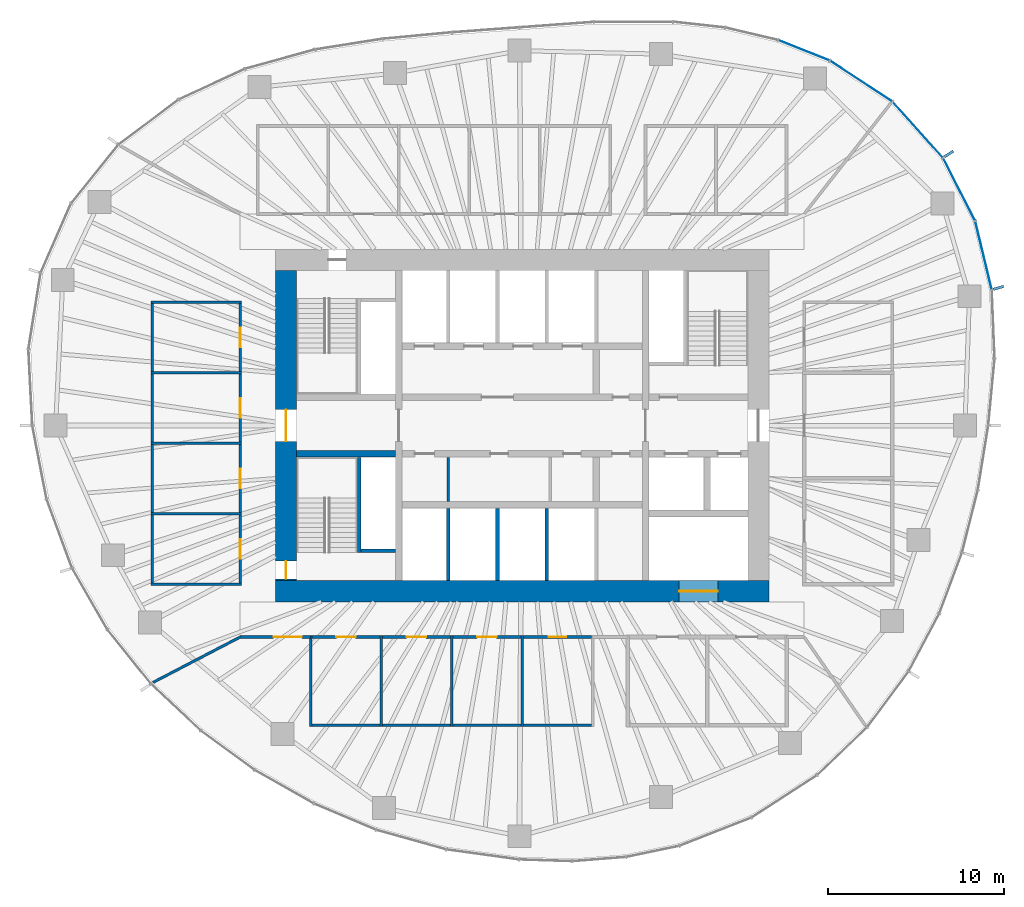
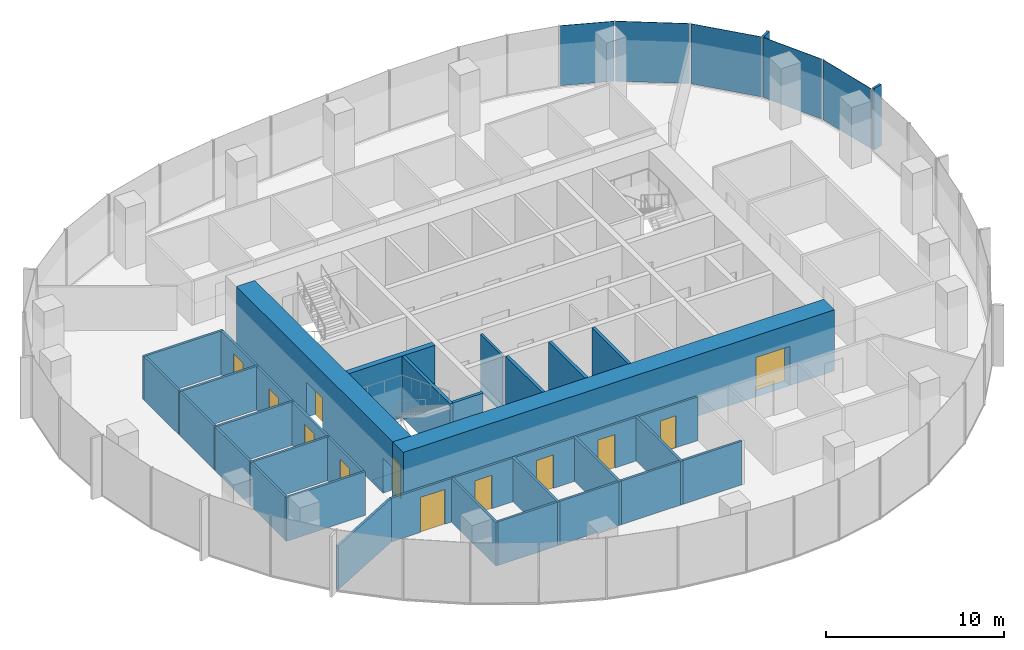
# One storey, part 8 of 12: 36 walls, 12 doors, 7 plates, 12 openings, 3 elements without a shape of their own.
"""IFC4 building model written with IfcOpenShell, lengths in metres."""

from ifc_helpers import new_model, si_unit, direction, frame, frame_2d, origin, origin_2d, place, context, subcontext, project, spatial, rectangle, extrude, material, layer, layer_set, type_object, element, fill, aggregate, save


model = new_model("IFC4")

# Units and contexts
model_context = context("Model", 3, precision=1e-05, world=origin(), true_north=direction((0.0, 1.0)))
body_context = subcontext(model_context, "Body", "Model", "MODEL_VIEW")
ifc_project = project(units=[si_unit("LENGTHUNIT", "METRE"), si_unit("AREAUNIT", "SQUARE_METRE"), si_unit("VOLUMEUNIT", "CUBIC_METRE"), si_unit("PLANEANGLEUNIT", "RADIAN"), si_unit("MASSUNIT", "GRAM", prefix="KILO")], contexts=[model_context])

# Site, building, storey
site_placement = place(None, origin())
site = spatial("IfcSite", under=ifc_project, at=site_placement, CompositionType="ELEMENT")
building_placement = place(site_placement, origin())
building = spatial("IfcBuilding", under=site, at=building_placement, Name="Ghaith Harvest Tower", CompositionType="ELEMENT")
storey_placement = place(building_placement, frame((0.0, 0.0, 203.199951171875)))
storey = spatial("IfcBuildingStorey", under=building, at=storey_placement, Name="L44", CompositionType="ELEMENT", Elevation=203.199951171875)

# Curtain wall, plates
ifc_material_1 = material(Name="Black anodised aluminium and fritted glass", Category="aluminium")
curtain_wall_type = type_object("IfcCurtainWallType", Name="CW-H CURTAIN WALL", PredefinedType="NOTDEFINED", material=ifc_material_1)
curtain_wall_1_placement = place(storey_placement, origin())
curtain_wall_1 = element("IfcCurtainWall", 1, at=curtain_wall_1_placement, inside=storey, type_object=curtain_wall_type, Name="Curtain wall CW-H bay 02 L44", PredefinedType="NOTDEFINED")
ifc_material_2 = material(Name="Glass, dark solar-control fritted double glazed unit", Category="glass")
ifc_layer_1 = layer(ifc_material_2, 0.030029296875)
ifc_layer_set_1 = layer_set([ifc_layer_1], Name="CW-H VISION PANEL")
plate_type_1 = type_object("IfcPlateType", Name="CW-H VISION PANEL", PredefinedType="CURTAIN_PANEL", material=ifc_layer_set_1)
plate_1_placement = place(storey_placement, frame((26.1767578125, 9.6533203125, 0.080078125), z_axis=(0.0, 0.0, 1.0), x_axis=(-0.233894000303, 0.972262102842, 0.0)))
plate_1 = element("IfcPlate", 2, at=plate_1_placement, type_object=plate_type_1, Name="CW-H glass unit 1 bay 02 L44", PredefinedType="CURTAIN_PANEL", context=body_context, shape_type="SweptSolid", body=[
    extrude(rectangle(XDim=3.935546875, YDim=0.030029296875, at=origin_2d()), origin(), (0.0, 0.0, 1.0), 4.1201171875),
])
plate_2_placement = place(storey_placement, frame((24.790771484375, 13.399658203125, 0.080078125), z_axis=(0.0, 0.0, 1.0), x_axis=(-0.454915320985, 0.890534699342, 0.0)))
plate_2 = element("IfcPlate", 3, at=plate_2_placement, type_object=plate_type_1, Name="CW-H glass unit 2 bay 02 L44", PredefinedType="CURTAIN_PANEL", context=body_context, shape_type="SweptSolid", body=[
    extrude(rectangle(XDim=3.949462890625, YDim=0.030029296875, at=origin_2d()), origin(), (0.0, 0.0, 1.0), 4.1201171875),
])
aggregate(curtain_wall_1, [plate_1, plate_2])

curtain_wall_2_placement = place(storey_placement, origin())
curtain_wall_2 = element("IfcCurtainWall", 4, at=curtain_wall_2_placement, inside=storey, type_object=curtain_wall_type, Name="Curtain wall CW-H bay 03 L44", PredefinedType="NOTDEFINED")
plate_3_placement = place(storey_placement, frame((22.44384765625, 16.783935546875, 0.080078125), z_axis=(0.0, 0.0, 1.0), x_axis=(-0.668757736889, 0.743480389352, 0.0)))
plate_3 = element("IfcPlate", 5, at=plate_3_placement, type_object=plate_type_1, Name="CW-H glass unit 1 bay 03 L44", PredefinedType="CURTAIN_PANEL", context=body_context, shape_type="SweptSolid", body=[
    extrude(rectangle(XDim=4.19775390625, YDim=0.030029296875, at=origin_2d()), origin(), (0.0, 0.0, 1.0), 4.1201171875),
])
plate_4_placement = place(storey_placement, frame((19.236328125, 19.539306640625, 0.080078125), z_axis=(0.0, 0.0, 1.0), x_axis=(-0.836276741583, 0.548307588392, 0.0)))
plate_4 = element("IfcPlate", 6, at=plate_4_placement, type_object=plate_type_1, Name="CW-H glass unit 2 bay 03 L44", PredefinedType="CURTAIN_PANEL", context=body_context, shape_type="SweptSolid", body=[
    extrude(rectangle(XDim=4.169677734375, YDim=0.030029296875, at=origin_2d()), origin(), (0.0, 0.0, 1.0), 4.1201171875),
])
aggregate(curtain_wall_2, [plate_3, plate_4])

# Curtain wall, plate
curtain_wall_3_placement = place(storey_placement, origin())
curtain_wall_3 = element("IfcCurtainWall", 7, at=curtain_wall_3_placement, inside=storey, type_object=curtain_wall_type, Name="Curtain wall CW-H bay 04 L44", PredefinedType="NOTDEFINED")
plate_5_placement = place(storey_placement, frame((15.993408203125, 21.287841796875, 0.080078125), z_axis=(0.0, 0.0, 1.0), x_axis=(-0.929107322045, 0.369810200133, 0.0)))
plate_5 = element("IfcPlate", 8, at=plate_5_placement, type_object=plate_type_1, Name="CW-H glass unit 1 bay 04 L44", PredefinedType="CURTAIN_PANEL", context=body_context, shape_type="SweptSolid", body=[
    extrude(rectangle(XDim=3.075927734375, YDim=0.030029296875, at=origin_2d()), origin(), (0.0, 0.0, 1.0), 4.1201171875),
])
aggregate(curtain_wall_3, [plate_5])

# Plates
ifc_material_3 = material(Name="Glassfibre-reinforced concrete", Category="concrete")
ifc_layer_2 = layer(ifc_material_3, 0.14990234375)
ifc_layer_set_2 = layer_set([ifc_layer_2], Name="SUN-BREAKER FIN 600x150")
plate_type_2 = type_object("IfcPlateType", Name="SUN-BREAKER FIN 600x150", PredefinedType="USERDEFINED", material=ifc_layer_set_2)
for number, where, z_axis, x_axis, name in (
    (9, (27.03076171875, 7.8125, 0.0), (0.0, 0.0, 1.0), (0.960680349985, 0.277656739792, 0.0), "Sun-breaker fin CW-H 1 bay 02 L44"),
    (10, (24.211669921875, 15.408447265625, 0.0), (0.0, 0.0, 1.0), (0.843643971464, 0.536903016766, 0.0), "Sun-breaker fin CW-H 1 bay 03 L44"),
):
    element("IfcPlate", number, at=place(storey_placement, frame(where, z_axis=z_axis, x_axis=x_axis)), inside=storey, type_object=plate_type_2, Name=name, ObjectType="SUN-BREAKER FIN", PredefinedType="USERDEFINED", context=body_context, shape_type="SweptSolid", body=[
        extrude(rectangle(XDim=0.60009765625, YDim=0.14990234375, at=origin_2d()), origin(), (0.0, 0.0, 1.0), 4.199951171875),
    ])

# Wall
ifc_material_4 = material(Name="Concrete blockwork, fair-faced", Category="masonry")
ifc_layer_3 = layer(ifc_material_4, 0.139892578125)
ifc_layer_set_3 = layer_set([ifc_layer_3], Name="CORE PARTITION 140")
wall_type_1 = type_object("IfcWallType", Name="CORE PARTITION 140", PredefinedType="PARTITIONING", material=ifc_layer_set_3)
wall_1_placement = place(storey_placement, frame((-4.199951171875, -1.800048828125, 0.0), z_axis=(0.0, 0.0, 1.0), x_axis=(0.0, -1.0, 0.0)))
element("IfcWall", 11, at=wall_1_placement, inside=storey, type_object=wall_type_1, Name="Core partition L44", PredefinedType="PARTITIONING", context=body_context, shape_type="SweptSolid", body=[
    extrude(rectangle(XDim=2.5, YDim=0.139892578125, at=frame_2d((1.25, 0.0))), origin(), (0.0, 0.0, 1.0), 3.949951171875),
])

# Wall, opening, door
ifc_material_5 = material(Name="Concrete C60/75", Category="concrete")
ifc_layer_4 = layer(ifc_material_5, 1.199951171875)
ifc_layer_set_4 = layer_set([ifc_layer_4], Name="CORE WALL CW1200 C60")
wall_type_2 = type_object("IfcWallType", Name="CORE WALL CW1200 C60", PredefinedType="SHEAR", material=ifc_layer_set_4)
wall_2_placement = place(storey_placement, frame((-14.0, -9.39990234375, 0.0), z_axis=(0.0, 0.0, 1.0), x_axis=(1.0, 0.0, 0.0)))
wall_2 = element("IfcWall", 12, at=wall_2_placement, inside=storey, type_object=wall_type_2, Name="Core wall S L44", PredefinedType="SHEAR", context=body_context, shape_type="SweptSolid", body=[
    extrude(rectangle(XDim=28.0, YDim=1.199951171875, at=frame_2d((14.0, 0.0))), origin(), (0.0, 0.0, 1.0), 4.199951171875),
])
opening_1_placement = place(wall_2_placement, frame((22.89990234375, 0.0, 0.0)))
opening_1 = element("IfcOpeningElement", 13, at=opening_1_placement, cuts=wall_2, Name="Opening 44-020", PredefinedType="OPENING", context=body_context, shape_type="SweptSolid", body=[
    extrude(rectangle(XDim=2.199951171875, YDim=2.699951171875, at=frame_2d((1.10009765625, 1.35009765625))), frame((0.0, 0.60986328125, 0.0), z_axis=(0.0, -1.0, 0.0), x_axis=(1.0, 0.0, 0.0)), (0.0, 0.0, 1.0), 1.219970703125),
])
ifc_material_6 = material(Name="Steel fire door", Category="steel")
door_type_1 = type_object("IfcDoorType", Name="LD3 LANDING 2200x2700", OperationType="DOUBLE_DOOR_SLIDING", PredefinedType="DOOR", material=ifc_material_6)
door_1_placement = place(opening_1_placement, origin())
door_1 = element("IfcDoor", 14, at=door_1_placement, inside=storey, type_object=door_type_1, Name="Landing door, goods lift GL1", OperationType="DOUBLE_DOOR_SLIDING", OverallHeight=2.699951171875, OverallWidth=2.199951171875, PredefinedType="DOOR", context=body_context, shape_type="SweptSolid", body=[
    extrude(rectangle(XDim=2.199951171875, YDim=2.699951171875, at=frame_2d((1.10009765625, 1.35009765625))), frame((0.0, 0.02490234375, 0.0), z_axis=(0.0, -1.0, 0.0), x_axis=(1.0, 0.0, 0.0)), (0.0, 0.0, 1.0), 0.050048828125),
])
fill(opening_1, door_1)

# Wall, openings, doors
wall_3_placement = place(storey_placement, frame((-13.39990234375, 8.800048828125, 0.0), z_axis=(0.0, 0.0, 1.0), x_axis=(0.0, -1.0, 0.0)))
wall_3 = element("IfcWall", 15, at=wall_3_placement, inside=storey, type_object=wall_type_2, Name="Core wall W L44", PredefinedType="SHEAR", context=body_context, shape_type="SweptSolid", body=[
    extrude(rectangle(XDim=17.60009765625, YDim=1.199951171875, at=frame_2d((8.800048828125, 0.0))), origin(), (0.0, 0.0, 1.0), 4.199951171875),
])
opening_2_placement = place(wall_3_placement, frame((7.89990234375, 0.0, 0.0)))
opening_2 = element("IfcOpeningElement", 16, at=opening_2_placement, cuts=wall_3, Name="Opening 44-001", PredefinedType="OPENING", context=body_context, shape_type="SweptSolid", body=[
    extrude(rectangle(XDim=1.800048828125, YDim=2.39990234375, at=frame_2d((0.89990234375, 1.199951171875))), frame((0.0, 0.60986328125, 0.0), z_axis=(0.0, -1.0, 0.0), x_axis=(1.0, 0.0, 0.0)), (0.0, 0.0, 1.0), 1.219970703125),
])
opening_3_placement = place(wall_3_placement, frame((16.5, 0.0, 0.0)))
opening_3 = element("IfcOpeningElement", 17, at=opening_3_placement, cuts=wall_3, Name="Opening 44-006", PredefinedType="OPENING", context=body_context, shape_type="SweptSolid", body=[
    extrude(rectangle(XDim=1.0, YDim=2.39990234375, at=frame_2d((0.5, 1.199951171875))), frame((0.0, 0.60986328125, 0.0), z_axis=(0.0, -1.0, 0.0), x_axis=(1.0, 0.0, 0.0)), (0.0, 0.0, 1.0), 1.219970703125),
])
ifc_material_7 = material(Name="Steel fire door", Category="steel")
door_type_2 = type_object("IfcDoorType", Name="D3 FD90 1000x2400", OperationType="SINGLE_SWING_LEFT", PredefinedType="DOOR", material=ifc_material_7)
door_2_placement = place(opening_3_placement, origin())
door_2 = element("IfcDoor", 18, at=door_2_placement, inside=storey, type_object=door_type_2, Name="Stair ST3 door", OperationType="SINGLE_SWING_RIGHT", OverallHeight=2.39990234375, OverallWidth=1.0, PredefinedType="DOOR", context=body_context, shape_type="SweptSolid", body=[
    extrude(rectangle(XDim=1.0, YDim=2.39990234375, at=frame_2d((0.5, 1.199951171875))), frame((0.0, 0.02490234375, 0.0), z_axis=(0.0, -1.0, 0.0), x_axis=(1.0, 0.0, 0.0)), (0.0, 0.0, 1.0), 0.050048828125),
])
fill(opening_3, door_2)
ifc_material_8 = material(Name="Steel fire door", Category="steel")
door_type_3 = type_object("IfcDoorType", Name="D4 FD90 PAIR 1800x2400", OperationType="DOUBLE_DOOR_SINGLE_SWING", PredefinedType="DOOR", material=ifc_material_8)
door_3_placement = place(opening_2_placement, origin())
door_3 = element("IfcDoor", 19, at=door_3_placement, inside=storey, type_object=door_type_3, Name="West lobby doors", OperationType="DOUBLE_DOOR_SINGLE_SWING", OverallHeight=2.39990234375, OverallWidth=1.800048828125, PredefinedType="DOOR", context=body_context, shape_type="SweptSolid", body=[
    extrude(rectangle(XDim=1.800048828125, YDim=2.39990234375, at=frame_2d((0.89990234375, 1.199951171875))), frame((0.0, 0.02490234375, 0.0), z_axis=(0.0, -1.0, 0.0), x_axis=(1.0, 0.0, 0.0)), (0.0, 0.0, 1.0), 0.050048828125),
])
fill(opening_2, door_3)

# Walls
ifc_material_9 = material(Name="Concrete blockwork, 2-hour", Category="masonry")
ifc_layer_5 = layer(ifc_material_9, 0.199951171875)
ifc_layer_set_5 = layer_set([ifc_layer_5], Name="LIFT SHAFT WALL 200")
wall_type_3 = type_object("IfcWallType", Name="LIFT SHAFT WALL 200", PredefinedType="PARTITIONING", material=ifc_layer_set_5)
for number, where, z_axis, x_axis, name in (
    (20, (-4.199951171875, -4.699951171875, 0.0), (0.0, 0.0, 1.0), (0.0, -1.0, 0.0), "Lift shaft wall L44"),
    (21, (-1.39990234375, -4.699951171875, 0.0), (0.0, 0.0, 1.0), (0.0, -1.0, 0.0), "Lift shaft wall L44"),
    (22, (1.39990234375, -4.699951171875, 0.0), (0.0, 0.0, 1.0), (0.0, -1.0, 0.0), "Lift shaft wall L44"),
):
    element("IfcWall", number, at=place(storey_placement, frame(where, z_axis=z_axis, x_axis=x_axis)), inside=storey, type_object=wall_type_3, Name=name, PredefinedType="PARTITIONING", context=body_context, shape_type="SweptSolid", body=[
        extrude(rectangle(XDim=4.10009765625, YDim=0.199951171875, at=frame_2d((2.050048828125, 0.0))), origin(), (0.0, 0.0, 1.0), 4.199951171875),
    ])
ifc_material_10 = material(Name="Gypsum board on steel studs", Category="steel")
ifc_layer_6 = layer(ifc_material_10, 0.14990234375)
ifc_layer_set_6 = layer_set([ifc_layer_6], Name="PARTITION 150")
wall_type_4 = type_object("IfcWallType", Name="PARTITION 150", PredefinedType="PARTITIONING", material=ifc_layer_set_6)
for number, where, z_axis, x_axis, name in (
    (23, (-12.0, -11.925048828125, 0.0), (0.0, 0.0, 1.0), (0.0, -1.0, 0.0), "Partition L44 row S4 cross wall 1"),
    (24, (-8.0, -11.925048828125, 0.0), (0.0, 0.0, 1.0), (0.0, -1.0, 0.0), "Partition L44 row S4 cross wall 2"),
    (25, (-4.0, -11.925048828125, 0.0), (0.0, 0.0, 1.0), (0.0, -1.0, 0.0), "Partition L44 row S4 cross wall 3"),
    (26, (0.0, -11.925048828125, 0.0), (0.0, 0.0, 1.0), (0.0, -1.0, 0.0), "Partition L44 row S4 cross wall 4"),
):
    element("IfcWall", number, at=place(storey_placement, frame(where, z_axis=z_axis, x_axis=x_axis)), inside=storey, type_object=wall_type_4, Name=name, PredefinedType="PARTITIONING", context=body_context, shape_type="SweptSolid", body=[
        extrude(rectangle(XDim=5.14990234375, YDim=0.14990234375, at=frame_2d((2.574951171875, 0.0))), origin(), (0.0, 0.0, 1.0), 3.0),
    ])

# Wall, opening, door
wall_4_placement = place(storey_placement, frame((-11.925048828125, -12.0, 0.0), z_axis=(0.0, 0.0, 1.0), x_axis=(1.0, 0.0, 0.0)))
wall_4 = element("IfcWall", 27, at=wall_4_placement, inside=storey, type_object=wall_type_4, Name="Partition L44-11", PredefinedType="PARTITIONING", context=body_context, shape_type="SweptSolid", body=[
    extrude(rectangle(XDim=3.85009765625, YDim=0.14990234375, at=frame_2d((1.925048828125, 0.0))), origin(), (0.0, 0.0, 1.0), 3.0),
])
opening_4_placement = place(wall_4_placement, frame((1.375, 0.0, 0.0)))
opening_4 = element("IfcOpeningElement", 28, at=opening_4_placement, cuts=wall_4, Name="Opening 44-031", PredefinedType="OPENING", context=body_context, shape_type="SweptSolid", body=[
    extrude(rectangle(XDim=1.10009765625, YDim=2.300048828125, at=frame_2d((0.550048828125, 1.14990234375))), frame((0.0, 0.0849609375, 0.0), z_axis=(0.0, -1.0, 0.0), x_axis=(1.0, 0.0, 0.0)), (0.0, 0.0, 1.0), 0.169921875),
])
ifc_material_11 = material(Name="Timber-framed glazed door", Category="wood")
door_type_4 = type_object("IfcDoorType", Name="D12 GLAZED OFFICE 1100x2300", OperationType="SINGLE_SWING_LEFT", PredefinedType="DOOR", material=ifc_material_11)
door_4_placement = place(opening_4_placement, origin())
door_4 = element("IfcDoor", 29, at=door_4_placement, inside=storey, type_object=door_type_4, Name="Office door", OperationType="SINGLE_SWING_LEFT", OverallHeight=2.300048828125, OverallWidth=1.10009765625, PredefinedType="DOOR", context=body_context, shape_type="SweptSolid", body=[
    extrude(rectangle(XDim=1.10009765625, YDim=2.300048828125, at=frame_2d((0.550048828125, 1.14990234375))), frame((0.0, 0.02490234375, 0.0), z_axis=(0.0, -1.0, 0.0), x_axis=(1.0, 0.0, 0.0)), (0.0, 0.0, 1.0), 0.050048828125),
])
fill(opening_4, door_4)

# Wall
wall_5_placement = place(storey_placement, frame((-11.925048828125, -17.0, 0.0), z_axis=(0.0, 0.0, 1.0), x_axis=(1.0, 0.0, 0.0)))
element("IfcWall", 30, at=wall_5_placement, inside=storey, type_object=wall_type_4, Name="Partition L44-11", PredefinedType="PARTITIONING", context=body_context, shape_type="SweptSolid", body=[
    extrude(rectangle(XDim=3.85009765625, YDim=0.14990234375, at=frame_2d((1.925048828125, 0.0))), origin(), (0.0, 0.0, 1.0), 3.0),
])

# Wall, opening, door
wall_6_placement = place(storey_placement, frame((-7.925048828125, -12.0, 0.0), z_axis=(0.0, 0.0, 1.0), x_axis=(1.0, 0.0, 0.0)))
wall_6 = element("IfcWall", 31, at=wall_6_placement, inside=storey, type_object=wall_type_4, Name="Partition L44-12", PredefinedType="PARTITIONING", context=body_context, shape_type="SweptSolid", body=[
    extrude(rectangle(XDim=3.85009765625, YDim=0.14990234375, at=frame_2d((1.925048828125, 0.0))), origin(), (0.0, 0.0, 1.0), 3.0),
])
opening_5_placement = place(wall_6_placement, frame((1.375, 0.0, 0.0)))
opening_5 = element("IfcOpeningElement", 32, at=opening_5_placement, cuts=wall_6, Name="Opening 44-032", PredefinedType="OPENING", context=body_context, shape_type="SweptSolid", body=[
    extrude(rectangle(XDim=1.10009765625, YDim=2.300048828125, at=frame_2d((0.550048828125, 1.14990234375))), frame((0.0, 0.0849609375, 0.0), z_axis=(0.0, -1.0, 0.0), x_axis=(1.0, 0.0, 0.0)), (0.0, 0.0, 1.0), 0.169921875),
])
door_5_placement = place(opening_5_placement, origin())
door_5 = element("IfcDoor", 33, at=door_5_placement, inside=storey, type_object=door_type_4, Name="Office door", OperationType="SINGLE_SWING_LEFT", OverallHeight=2.300048828125, OverallWidth=1.10009765625, PredefinedType="DOOR", context=body_context, shape_type="SweptSolid", body=[
    extrude(rectangle(XDim=1.10009765625, YDim=2.300048828125, at=frame_2d((0.550048828125, 1.14990234375))), frame((0.0, 0.02490234375, 0.0), z_axis=(0.0, -1.0, 0.0), x_axis=(1.0, 0.0, 0.0)), (0.0, 0.0, 1.0), 0.050048828125),
])
fill(opening_5, door_5)

# Wall
wall_7_placement = place(storey_placement, frame((-7.925048828125, -17.0, 0.0), z_axis=(0.0, 0.0, 1.0), x_axis=(1.0, 0.0, 0.0)))
element("IfcWall", 34, at=wall_7_placement, inside=storey, type_object=wall_type_4, Name="Partition L44-12", PredefinedType="PARTITIONING", context=body_context, shape_type="SweptSolid", body=[
    extrude(rectangle(XDim=3.85009765625, YDim=0.14990234375, at=frame_2d((1.925048828125, 0.0))), origin(), (0.0, 0.0, 1.0), 3.0),
])

# Wall, opening, door
wall_8_placement = place(storey_placement, frame((-3.925048828125, -12.0, 0.0), z_axis=(0.0, 0.0, 1.0), x_axis=(1.0, 0.0, 0.0)))
wall_8 = element("IfcWall", 35, at=wall_8_placement, inside=storey, type_object=wall_type_4, Name="Partition L44-13", PredefinedType="PARTITIONING", context=body_context, shape_type="SweptSolid", body=[
    extrude(rectangle(XDim=3.85009765625, YDim=0.14990234375, at=frame_2d((1.925048828125, 0.0))), origin(), (0.0, 0.0, 1.0), 3.0),
])
opening_6_placement = place(wall_8_placement, frame((1.375, 0.0, 0.0)))
opening_6 = element("IfcOpeningElement", 36, at=opening_6_placement, cuts=wall_8, Name="Opening 44-033", PredefinedType="OPENING", context=body_context, shape_type="SweptSolid", body=[
    extrude(rectangle(XDim=1.10009765625, YDim=2.300048828125, at=frame_2d((0.550048828125, 1.14990234375))), frame((0.0, 0.0849609375, 0.0), z_axis=(0.0, -1.0, 0.0), x_axis=(1.0, 0.0, 0.0)), (0.0, 0.0, 1.0), 0.169921875),
])
door_6_placement = place(opening_6_placement, origin())
door_6 = element("IfcDoor", 37, at=door_6_placement, inside=storey, type_object=door_type_4, Name="Office door", OperationType="SINGLE_SWING_LEFT", OverallHeight=2.300048828125, OverallWidth=1.10009765625, PredefinedType="DOOR", context=body_context, shape_type="SweptSolid", body=[
    extrude(rectangle(XDim=1.10009765625, YDim=2.300048828125, at=frame_2d((0.550048828125, 1.14990234375))), frame((0.0, 0.02490234375, 0.0), z_axis=(0.0, -1.0, 0.0), x_axis=(1.0, 0.0, 0.0)), (0.0, 0.0, 1.0), 0.050048828125),
])
fill(opening_6, door_6)

# Wall
wall_9_placement = place(storey_placement, frame((-3.925048828125, -17.0, 0.0), z_axis=(0.0, 0.0, 1.0), x_axis=(1.0, 0.0, 0.0)))
element("IfcWall", 38, at=wall_9_placement, inside=storey, type_object=wall_type_4, Name="Partition L44-13", PredefinedType="PARTITIONING", context=body_context, shape_type="SweptSolid", body=[
    extrude(rectangle(XDim=3.85009765625, YDim=0.14990234375, at=frame_2d((1.925048828125, 0.0))), origin(), (0.0, 0.0, 1.0), 3.0),
])

# Wall, opening, door
wall_10_placement = place(storey_placement, frame((0.074951171875, -12.0, 0.0), z_axis=(0.0, 0.0, 1.0), x_axis=(1.0, 0.0, 0.0)))
wall_10 = element("IfcWall", 39, at=wall_10_placement, inside=storey, type_object=wall_type_4, Name="Partition L44-14", PredefinedType="PARTITIONING", context=body_context, shape_type="SweptSolid", body=[
    extrude(rectangle(XDim=3.85009765625, YDim=0.14990234375, at=frame_2d((1.925048828125, 0.0))), origin(), (0.0, 0.0, 1.0), 3.0),
])
opening_7_placement = place(wall_10_placement, frame((1.425048828125, 0.0, 0.0)))
opening_7 = element("IfcOpeningElement", 40, at=opening_7_placement, cuts=wall_10, Name="Opening 44-034", PredefinedType="OPENING", context=body_context, shape_type="SweptSolid", body=[
    extrude(rectangle(XDim=1.0, YDim=2.199951171875, at=frame_2d((0.5, 1.10009765625))), frame((0.0, 0.0849609375, 0.0), z_axis=(0.0, -1.0, 0.0), x_axis=(1.0, 0.0, 0.0)), (0.0, 0.0, 1.0), 0.169921875),
])
ifc_material_12 = material(Name="Timber door", Category="wood")
door_type_5 = type_object("IfcDoorType", Name="D1 SINGLE 1000x2200", OperationType="SINGLE_SWING_LEFT", PredefinedType="DOOR", material=ifc_material_12)
door_7_placement = place(opening_7_placement, origin())
door_7 = element("IfcDoor", 41, at=door_7_placement, inside=storey, type_object=door_type_5, Name="Print room door", OperationType="SINGLE_SWING_LEFT", OverallHeight=2.199951171875, OverallWidth=1.0, PredefinedType="DOOR", context=body_context, shape_type="SweptSolid", body=[
    extrude(rectangle(XDim=1.0, YDim=2.199951171875, at=frame_2d((0.5, 1.10009765625))), frame((0.0, 0.02490234375, 0.0), z_axis=(0.0, -1.0, 0.0), x_axis=(1.0, 0.0, 0.0)), (0.0, 0.0, 1.0), 0.050048828125),
])
fill(opening_7, door_7)

# Walls
wall_11_placement = place(storey_placement, frame((0.074951171875, -17.0, 0.0), z_axis=(0.0, 0.0, 1.0), x_axis=(1.0, 0.0, 0.0)))
element("IfcWall", 42, at=wall_11_placement, inside=storey, type_object=wall_type_4, Name="Partition L44-14", PredefinedType="PARTITIONING", context=body_context, shape_type="SweptSolid", body=[
    extrude(rectangle(XDim=3.85009765625, YDim=0.14990234375, at=frame_2d((1.925048828125, 0.0))), origin(), (0.0, 0.0, 1.0), 3.0),
])
for number, where, z_axis, x_axis, name in (
    (43, (-15.925048828125, -9.0, 0.0), (0.0, 0.0, 1.0), (-1.0, 0.0, 0.0), "Partition L44 row W6 cross wall 1"),
    (44, (-15.925048828125, -5.0, 0.0), (0.0, 0.0, 1.0), (-1.0, 0.0, 0.0), "Partition L44 row W6 cross wall 2"),
    (45, (-15.925048828125, -1.0, 0.0), (0.0, 0.0, 1.0), (-1.0, 0.0, 0.0), "Partition L44 row W6 cross wall 3"),
    (46, (-15.925048828125, 3.0, 0.0), (0.0, 0.0, 1.0), (-1.0, 0.0, 0.0), "Partition L44 row W6 cross wall 4"),
    (47, (-15.925048828125, 7.0, 0.0), (0.0, 0.0, 1.0), (-1.0, 0.0, 0.0), "Partition L44 row W6 cross wall 5"),
):
    element("IfcWall", number, at=place(storey_placement, frame(where, z_axis=z_axis, x_axis=x_axis)), inside=storey, type_object=wall_type_4, Name=name, PredefinedType="PARTITIONING", context=body_context, shape_type="SweptSolid", body=[
        extrude(rectangle(XDim=5.14990234375, YDim=0.14990234375, at=frame_2d((2.574951171875, 0.0))), origin(), (0.0, 0.0, 1.0), 3.0),
    ])

# Wall, opening, door
wall_12_placement = place(storey_placement, frame((-16.0, -8.925048828125, 0.0), z_axis=(0.0, 0.0, 1.0), x_axis=(0.0, 1.0, 0.0)))
wall_12 = element("IfcWall", 48, at=wall_12_placement, inside=storey, type_object=wall_type_4, Name="Partition L44-17", PredefinedType="PARTITIONING", context=body_context, shape_type="SweptSolid", body=[
    extrude(rectangle(XDim=3.85009765625, YDim=0.14990234375, at=frame_2d((1.925048828125, 0.0))), origin(), (0.0, 0.0, 1.0), 3.0),
])
opening_8_placement = place(wall_12_placement, frame((1.375, 0.0, 0.0)))
opening_8 = element("IfcOpeningElement", 49, at=opening_8_placement, cuts=wall_12, Name="Opening 44-037", PredefinedType="OPENING", context=body_context, shape_type="SweptSolid", body=[
    extrude(rectangle(XDim=1.10009765625, YDim=2.300048828125, at=frame_2d((0.550048828125, 1.14990234375))), frame((0.0, 0.0849609375, 0.0), z_axis=(0.0, -1.0, 0.0), x_axis=(1.0, 0.0, 0.0)), (0.0, 0.0, 1.0), 0.169921875),
])
door_8_placement = place(opening_8_placement, origin())
door_8 = element("IfcDoor", 50, at=door_8_placement, inside=storey, type_object=door_type_4, Name="Office door", OperationType="SINGLE_SWING_LEFT", OverallHeight=2.300048828125, OverallWidth=1.10009765625, PredefinedType="DOOR", context=body_context, shape_type="SweptSolid", body=[
    extrude(rectangle(XDim=1.10009765625, YDim=2.300048828125, at=frame_2d((0.550048828125, 1.14990234375))), frame((0.0, 0.02490234375, 0.0), z_axis=(0.0, -1.0, 0.0), x_axis=(1.0, 0.0, 0.0)), (0.0, 0.0, 1.0), 0.050048828125),
])
fill(opening_8, door_8)

# Wall
wall_13_placement = place(storey_placement, frame((-21.0, -8.925048828125, 0.0), z_axis=(0.0, 0.0, 1.0), x_axis=(0.0, 1.0, 0.0)))
element("IfcWall", 51, at=wall_13_placement, inside=storey, type_object=wall_type_4, Name="Partition L44-17", PredefinedType="PARTITIONING", context=body_context, shape_type="SweptSolid", body=[
    extrude(rectangle(XDim=3.85009765625, YDim=0.14990234375, at=frame_2d((1.925048828125, 0.0))), origin(), (0.0, 0.0, 1.0), 3.0),
])

# Wall, opening, door
wall_14_placement = place(storey_placement, frame((-16.0, -4.925048828125, 0.0), z_axis=(0.0, 0.0, 1.0), x_axis=(0.0, 1.0, 0.0)))
wall_14 = element("IfcWall", 52, at=wall_14_placement, inside=storey, type_object=wall_type_4, Name="Partition L44-18", PredefinedType="PARTITIONING", context=body_context, shape_type="SweptSolid", body=[
    extrude(rectangle(XDim=3.85009765625, YDim=0.14990234375, at=frame_2d((1.925048828125, 0.0))), origin(), (0.0, 0.0, 1.0), 3.0),
])
opening_9_placement = place(wall_14_placement, frame((1.375, 0.0, 0.0)))
opening_9 = element("IfcOpeningElement", 53, at=opening_9_placement, cuts=wall_14, Name="Opening 44-038", PredefinedType="OPENING", context=body_context, shape_type="SweptSolid", body=[
    extrude(rectangle(XDim=1.10009765625, YDim=2.300048828125, at=frame_2d((0.550048828125, 1.14990234375))), frame((0.0, 0.0849609375, 0.0), z_axis=(0.0, -1.0, 0.0), x_axis=(1.0, 0.0, 0.0)), (0.0, 0.0, 1.0), 0.169921875),
])
door_9_placement = place(opening_9_placement, origin())
door_9 = element("IfcDoor", 54, at=door_9_placement, inside=storey, type_object=door_type_4, Name="Office door", OperationType="SINGLE_SWING_LEFT", OverallHeight=2.300048828125, OverallWidth=1.10009765625, PredefinedType="DOOR", context=body_context, shape_type="SweptSolid", body=[
    extrude(rectangle(XDim=1.10009765625, YDim=2.300048828125, at=frame_2d((0.550048828125, 1.14990234375))), frame((0.0, 0.02490234375, 0.0), z_axis=(0.0, -1.0, 0.0), x_axis=(1.0, 0.0, 0.0)), (0.0, 0.0, 1.0), 0.050048828125),
])
fill(opening_9, door_9)

# Wall
wall_15_placement = place(storey_placement, frame((-21.0, -4.925048828125, 0.0), z_axis=(0.0, 0.0, 1.0), x_axis=(0.0, 1.0, 0.0)))
element("IfcWall", 55, at=wall_15_placement, inside=storey, type_object=wall_type_4, Name="Partition L44-18", PredefinedType="PARTITIONING", context=body_context, shape_type="SweptSolid", body=[
    extrude(rectangle(XDim=3.85009765625, YDim=0.14990234375, at=frame_2d((1.925048828125, 0.0))), origin(), (0.0, 0.0, 1.0), 3.0),
])

# Wall, opening, door
wall_16_placement = place(storey_placement, frame((-16.0, -0.925048828125, 0.0), z_axis=(0.0, 0.0, 1.0), x_axis=(0.0, 1.0, 0.0)))
wall_16 = element("IfcWall", 56, at=wall_16_placement, inside=storey, type_object=wall_type_4, Name="Partition L44-19", PredefinedType="PARTITIONING", context=body_context, shape_type="SweptSolid", body=[
    extrude(rectangle(XDim=3.85009765625, YDim=0.14990234375, at=frame_2d((1.925048828125, 0.0))), origin(), (0.0, 0.0, 1.0), 3.0),
])
opening_10_placement = place(wall_16_placement, frame((1.375, 0.0, 0.0)))
opening_10 = element("IfcOpeningElement", 57, at=opening_10_placement, cuts=wall_16, Name="Opening 44-039", PredefinedType="OPENING", context=body_context, shape_type="SweptSolid", body=[
    extrude(rectangle(XDim=1.10009765625, YDim=2.300048828125, at=frame_2d((0.550048828125, 1.14990234375))), frame((0.0, 0.0849609375, 0.0), z_axis=(0.0, -1.0, 0.0), x_axis=(1.0, 0.0, 0.0)), (0.0, 0.0, 1.0), 0.169921875),
])
door_10_placement = place(opening_10_placement, origin())
door_10 = element("IfcDoor", 58, at=door_10_placement, inside=storey, type_object=door_type_4, Name="Office door", OperationType="SINGLE_SWING_LEFT", OverallHeight=2.300048828125, OverallWidth=1.10009765625, PredefinedType="DOOR", context=body_context, shape_type="SweptSolid", body=[
    extrude(rectangle(XDim=1.10009765625, YDim=2.300048828125, at=frame_2d((0.550048828125, 1.14990234375))), frame((0.0, 0.02490234375, 0.0), z_axis=(0.0, -1.0, 0.0), x_axis=(1.0, 0.0, 0.0)), (0.0, 0.0, 1.0), 0.050048828125),
])
fill(opening_10, door_10)

# Wall
wall_17_placement = place(storey_placement, frame((-21.0, -0.925048828125, 0.0), z_axis=(0.0, 0.0, 1.0), x_axis=(0.0, 1.0, 0.0)))
element("IfcWall", 59, at=wall_17_placement, inside=storey, type_object=wall_type_4, Name="Partition L44-19", PredefinedType="PARTITIONING", context=body_context, shape_type="SweptSolid", body=[
    extrude(rectangle(XDim=3.85009765625, YDim=0.14990234375, at=frame_2d((1.925048828125, 0.0))), origin(), (0.0, 0.0, 1.0), 3.0),
])

# Wall, opening, door
wall_18_placement = place(storey_placement, frame((-16.0, 3.074951171875, 0.0), z_axis=(0.0, 0.0, 1.0), x_axis=(0.0, 1.0, 0.0)))
wall_18 = element("IfcWall", 60, at=wall_18_placement, inside=storey, type_object=wall_type_4, Name="Partition L44-20", PredefinedType="PARTITIONING", context=body_context, shape_type="SweptSolid", body=[
    extrude(rectangle(XDim=3.85009765625, YDim=0.14990234375, at=frame_2d((1.925048828125, 0.0))), origin(), (0.0, 0.0, 1.0), 3.0),
])
opening_11_placement = place(wall_18_placement, frame((1.375, 0.0, 0.0)))
opening_11 = element("IfcOpeningElement", 61, at=opening_11_placement, cuts=wall_18, Name="Opening 44-040", PredefinedType="OPENING", context=body_context, shape_type="SweptSolid", body=[
    extrude(rectangle(XDim=1.10009765625, YDim=2.300048828125, at=frame_2d((0.550048828125, 1.14990234375))), frame((0.0, 0.0849609375, 0.0), z_axis=(0.0, -1.0, 0.0), x_axis=(1.0, 0.0, 0.0)), (0.0, 0.0, 1.0), 0.169921875),
])
door_11_placement = place(opening_11_placement, origin())
door_11 = element("IfcDoor", 62, at=door_11_placement, inside=storey, type_object=door_type_4, Name="Office door", OperationType="SINGLE_SWING_LEFT", OverallHeight=2.300048828125, OverallWidth=1.10009765625, PredefinedType="DOOR", context=body_context, shape_type="SweptSolid", body=[
    extrude(rectangle(XDim=1.10009765625, YDim=2.300048828125, at=frame_2d((0.550048828125, 1.14990234375))), frame((0.0, 0.02490234375, 0.0), z_axis=(0.0, -1.0, 0.0), x_axis=(1.0, 0.0, 0.0)), (0.0, 0.0, 1.0), 0.050048828125),
])
fill(opening_11, door_11)

# Walls
wall_19_placement = place(storey_placement, frame((-21.0, 3.074951171875, 0.0), z_axis=(0.0, 0.0, 1.0), x_axis=(0.0, 1.0, 0.0)))
element("IfcWall", 63, at=wall_19_placement, inside=storey, type_object=wall_type_4, Name="Partition L44-20", PredefinedType="PARTITIONING", context=body_context, shape_type="SweptSolid", body=[
    extrude(rectangle(XDim=3.85009765625, YDim=0.14990234375, at=frame_2d((1.925048828125, 0.0))), origin(), (0.0, 0.0, 1.0), 3.0),
])
wall_20_placement = place(storey_placement, frame((-16.017578125, -12.00927734375, 0.0), z_axis=(0.0, 0.0, 1.0), x_axis=(-0.886831549241, -0.462092851351, 0.0)))
element("IfcWall", 64, at=wall_20_placement, inside=storey, type_object=wall_type_4, Name="Partition L44 zone division", PredefinedType="PARTITIONING", context=body_context, shape_type="SweptSolid", body=[
    extrude(rectangle(XDim=5.555419921875, YDim=0.14990234375, at=frame_2d((2.77783203125, 0.0))), origin(), (0.0, 0.0, 1.0), 3.0),
])

# Wall, opening, door
wall_21_placement = place(storey_placement, frame((-16.0, -12.0, 0.0), z_axis=(0.0, 0.0, 1.0), x_axis=(1.0, 0.0, 0.0)))
wall_21 = element("IfcWall", 65, at=wall_21_placement, inside=storey, type_object=wall_type_4, Name="Partition L44 zone enclosure", PredefinedType="PARTITIONING", context=body_context, shape_type="SweptSolid", body=[
    extrude(rectangle(XDim=4.0, YDim=0.14990234375, at=frame_2d((2.0, 0.0))), origin(), (0.0, 0.0, 1.0), 3.0),
])
opening_12_placement = place(wall_21_placement, frame((1.89990234375, 0.0, 0.0)))
opening_12 = element("IfcOpeningElement", 66, at=opening_12_placement, cuts=wall_21, Name="Opening 44-041", PredefinedType="OPENING", context=body_context, shape_type="SweptSolid", body=[
    extrude(rectangle(XDim=1.60009765625, YDim=2.39990234375, at=frame_2d((0.800048828125, 1.199951171875))), frame((0.0, 0.0849609375, 0.0), z_axis=(0.0, -1.0, 0.0), x_axis=(1.0, 0.0, 0.0)), (0.0, 0.0, 1.0), 0.169921875),
])
ifc_material_13 = material(Name="Timber door", Category="wood")
door_type_6 = type_object("IfcDoorType", Name="D2 PAIR 1600x2400", OperationType="DOUBLE_DOOR_SINGLE_SWING", PredefinedType="DOOR", material=ifc_material_13)
door_12_placement = place(opening_12_placement, origin())
door_12 = element("IfcDoor", 67, at=door_12_placement, inside=storey, type_object=door_type_6, Name="Consultancy workplace south door", OperationType="DOUBLE_DOOR_SINGLE_SWING", OverallHeight=2.39990234375, OverallWidth=1.60009765625, PredefinedType="DOOR", context=body_context, shape_type="SweptSolid", body=[
    extrude(rectangle(XDim=1.60009765625, YDim=2.39990234375, at=frame_2d((0.800048828125, 1.199951171875))), frame((0.0, 0.02490234375, 0.0), z_axis=(0.0, -1.0, 0.0), x_axis=(1.0, 0.0, 0.0)), (0.0, 0.0, 1.0), 0.050048828125),
])
fill(opening_12, door_12)

# Walls
ifc_material_14 = material(Name="Concrete C60/75", Category="concrete")
ifc_layer_7 = layer(ifc_material_14, 0.35009765625)
ifc_layer_set_7 = layer_set([ifc_layer_7], Name="SHAFT WALL 350")
wall_type_5 = type_object("IfcWallType", Name="SHAFT WALL 350", PredefinedType="SHEAR", material=ifc_layer_set_7)
wall_22_placement = place(storey_placement, frame((-12.800048828125, -1.60009765625, 0.0), z_axis=(0.0, 0.0, 1.0), x_axis=(1.0, 0.0, 0.0)))
element("IfcWall", 68, at=wall_22_placement, inside=storey, type_object=wall_type_5, Name="Shaft wall WS L44", PredefinedType="SHEAR", context=body_context, shape_type="SweptSolid", body=[
    extrude(rectangle(XDim=5.60009765625, YDim=0.35009765625, at=frame_2d((2.800048828125, 0.0))), origin(), (0.0, 0.0, 1.0), 4.199951171875),
])
ifc_material_15 = material(Name="Concrete C40/50", Category="concrete")
ifc_layer_8 = layer(ifc_material_15, 0.199951171875)
ifc_layer_set_8 = layer_set([ifc_layer_8], Name="STAIR SPINE WALL RC200")
wall_type_6 = type_object("IfcWallType", Name="STAIR SPINE WALL RC200", PredefinedType="SOLIDWALL", material=ifc_layer_set_8)
wall_23_placement = place(storey_placement, frame((-9.25, -7.199951171875, 0.0), z_axis=(0.0, 0.0, 1.0), x_axis=(0.0, 1.0, 0.0)))
element("IfcWall", 69, at=wall_23_placement, inside=storey, type_object=wall_type_6, Name="Stair ST3 spine wall L44", PredefinedType="SOLIDWALL", context=body_context, shape_type="SweptSolid", body=[
    extrude(rectangle(XDim=5.39990234375, YDim=0.199951171875, at=frame_2d((2.699951171875, 0.0))), origin(), (0.0, 0.0, 1.0), 4.199951171875),
])
wall_24_placement = place(storey_placement, frame((-9.14990234375, -7.10009765625, 0.0), z_axis=(0.0, 0.0, 1.0), x_axis=(1.0, 0.0, 0.0)))
element("IfcWall", 70, at=wall_24_placement, inside=storey, type_object=wall_type_6, Name="Stair ST3 spine wall return L44", PredefinedType="SOLIDWALL", context=body_context, shape_type="SweptSolid", body=[
    extrude(rectangle(XDim=1.949951171875, YDim=0.199951171875, at=frame_2d((0.97509765625, 0.0))), origin(), (0.0, 0.0, 1.0), 4.199951171875),
])

save(model, "model.ifc")
